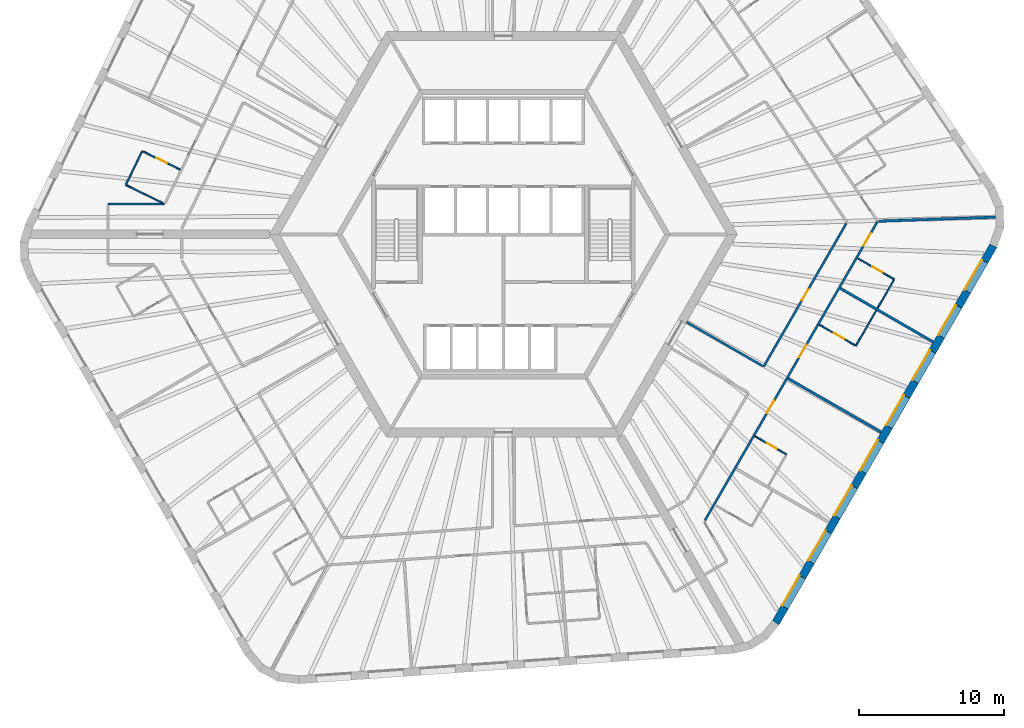
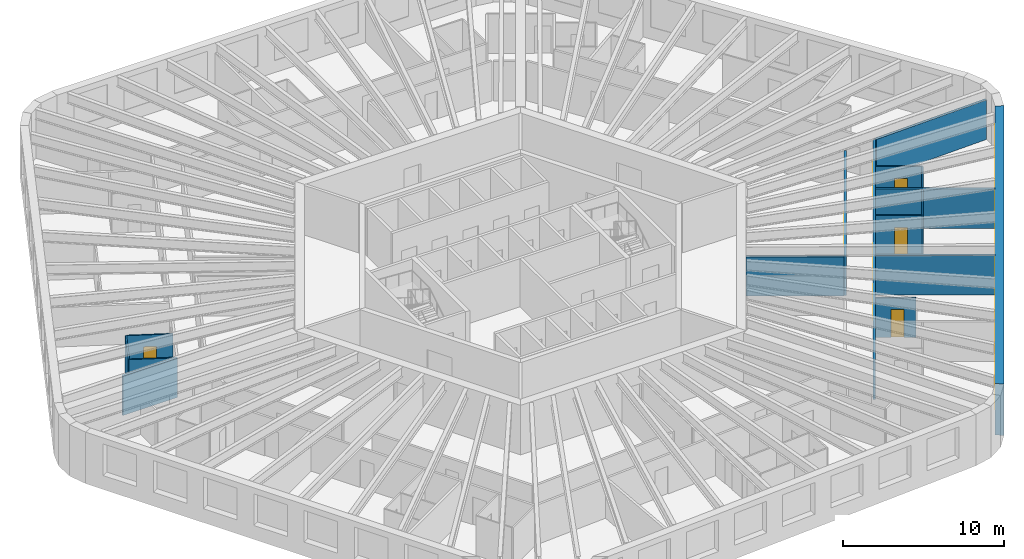
# One storey, part 6 of 11: 16 walls, 8 doors, 8 windows, 16 openings.
"""IFC4 building model written with IfcOpenShell, lengths in metres."""

from ifc_helpers import new_model, si_unit, direction, frame, frame_2d, origin, place, context, subcontext, project, spatial, polyline, rectangle, outline, extrude, material, layer, layer_set, type_object, element, fill, save


model = new_model("IFC4")

# Units and contexts
model_context = context("Model", 3, precision=1e-05, world=origin(), true_north=direction((0.0, 1.0)))
body_context = subcontext(model_context, "Body", "Model", "MODEL_VIEW")
ifc_project = project(units=[si_unit("LENGTHUNIT", "METRE"), si_unit("AREAUNIT", "SQUARE_METRE"), si_unit("VOLUMEUNIT", "CUBIC_METRE"), si_unit("PLANEANGLEUNIT", "RADIAN"), si_unit("MASSUNIT", "GRAM", prefix="KILO")], contexts=[model_context])

# Site, building, storey
site_placement = place(None, origin())
site = spatial("IfcSite", under=ifc_project, at=site_placement, CompositionType="ELEMENT")
building_placement = place(site_placement, origin())
building = spatial("IfcBuilding", under=site, at=building_placement, Name="Tarnside Tower", CompositionType="ELEMENT")
storey_placement = place(building_placement, frame((0.0, 0.0, 41.39990234375)))
storey = spatial("IfcBuildingStorey", under=building, at=storey_placement, Name="L07", CompositionType="ELEMENT", Elevation=41.39990234375)

# Walls
ifc_material_1 = material(Name="Gypsum board partition on steel studs", Category="steel")
ifc_layer_1 = layer(ifc_material_1, 0.10009765625)
ifc_layer_set_1 = layer_set([ifc_layer_1], Name="Bathroom wall 100")
wall_type_1 = type_object("IfcWallType", Name="Bathroom wall 100", PredefinedType="PARTITIONING", material=ifc_layer_set_1)
wall_1_placement = place(storey_placement, frame((-23.551025390625, 2.175048828125, 0.0), z_axis=(0.0, 0.0, 1.0), x_axis=(-0.89881903386, 0.438319910991, 0.0)))
element("IfcWall", 1, at=wall_1_placement, inside=storey, type_object=wall_type_1, Name="Bathroom wall 01097", PredefinedType="PARTITIONING", context=body_context, shape_type="SweptSolid", body=[
    extrude(rectangle(XDim=2.828857421875, YDim=0.10009765625, at=frame_2d((1.41455078125, 0.0))), origin(), (0.0, 0.0, 1.0), 2.98779296875),
])
wall_2_placement = place(storey_placement, frame((-26.07177734375, 3.4599609375, 0.0), z_axis=(0.0, 0.0, 1.0), x_axis=(0.438306676818, 0.898825487543, 0.0)))
element("IfcWall", 2, at=wall_2_placement, inside=storey, type_object=wall_type_1, Name="Bathroom wall 01098", PredefinedType="PARTITIONING", context=body_context, shape_type="SweptSolid", body=[
    extrude(rectangle(XDim=2.550048828125, YDim=0.10009765625, at=frame_2d((1.27490234375, 0.0))), origin(), (0.0, 0.0, 1.0), 2.98779296875),
])

# Wall, opening, door
wall_3_placement = place(storey_placement, frame((-24.908935546875, 5.72998046875, 0.0), z_axis=(0.0, 0.0, 1.0), x_axis=(0.898799457159, -0.438360052708, 0.0)))
wall_3 = element("IfcWall", 3, at=wall_3_placement, inside=storey, type_object=wall_type_1, Name="Bathroom wall 01099", PredefinedType="PARTITIONING", context=body_context, shape_type="SweptSolid", body=[
    extrude(rectangle(XDim=2.875, YDim=0.10009765625, at=frame_2d((1.4375, 0.0))), origin(), (0.0, 0.0, 1.0), 2.98779296875),
])
opening_1_placement = place(wall_3_placement, frame((1.050048828125, 0.0, 0.0)))
opening_1 = element("IfcOpeningElement", 4, at=opening_1_placement, cuts=wall_3, Name="Opening D-B1", PredefinedType="OPENING", context=body_context, shape_type="SweptSolid", body=[
    extrude(rectangle(XDim=0.800048828125, YDim=2.10009765625, at=frame_2d((0.39990234375, 1.050048828125))), frame((0.0, 0.06005859375, 0.0), z_axis=(0.0, -1.0, 0.0), x_axis=(1.0, 0.0, 0.0)), (0.0, 0.0, 1.0), 0.1201171875),
])
ifc_material_2 = material(Name="Timber door leaf", Category="wood")
door_type_1 = type_object("IfcDoorType", Name="Bathroom door 800", OperationType="NOTDEFINED", PredefinedType="DOOR", material=ifc_material_2)
door_1_placement = place(opening_1_placement, origin())
door_1 = element("IfcDoor", 5, at=door_1_placement, inside=storey, type_object=door_type_1, Name="Bathroom door 01012", OperationType="SINGLE_SWING_RIGHT", OverallHeight=2.10009765625, OverallWidth=0.800048828125, PredefinedType="DOOR", context=body_context, shape_type="SweptSolid", body=[
    extrude(rectangle(XDim=0.800048828125, YDim=2.10009765625, at=frame_2d((0.39990234375, 1.050048828125))), frame((0.0, 0.02490234375, 0.0), z_axis=(0.0, -1.0, 0.0), x_axis=(1.0, 0.0, 0.0)), (0.0, 0.0, 1.0), 0.050048828125),
])
fill(opening_1, door_1)

wall_4_placement = place(storey_placement, frame((17.379638671875, -13.947509765625, 0.0), z_axis=(0.0, 0.0, 1.0), x_axis=(0.866039067339, -0.499976333282, 0.0)))
wall_4 = element("IfcWall", 6, at=wall_4_placement, inside=storey, type_object=wall_type_1, Name="Bathroom wall 01132", PredefinedType="PARTITIONING", context=body_context, shape_type="SweptSolid", body=[
    extrude(rectangle(XDim=2.52490234375, YDim=0.10009765625, at=frame_2d((1.262451171875, 0.0))), origin(), (0.0, 0.0, 1.0), 2.98779296875),
])
opening_2_placement = place(wall_4_placement, frame((0.955078125, 0.0, 0.0)))
opening_2 = element("IfcOpeningElement", 7, at=opening_2_placement, cuts=wall_4, Name="Opening D-B1", PredefinedType="OPENING", context=body_context, shape_type="SweptSolid", body=[
    extrude(rectangle(XDim=0.800048828125, YDim=2.10009765625, at=frame_2d((0.39990234375, 1.050048828125))), frame((0.0, 0.06005859375, 0.0), z_axis=(0.0, -1.0, 0.0), x_axis=(1.0, 0.0, 0.0)), (0.0, 0.0, 1.0), 0.1201171875),
])
door_2_placement = place(opening_2_placement, origin())
door_2 = element("IfcDoor", 8, at=door_2_placement, inside=storey, type_object=door_type_1, Name="Bathroom door 01030", OperationType="SINGLE_SWING_LEFT", OverallHeight=2.10009765625, OverallWidth=0.800048828125, PredefinedType="DOOR", context=body_context, shape_type="SweptSolid", body=[
    extrude(rectangle(XDim=0.800048828125, YDim=2.10009765625, at=frame_2d((0.39990234375, 1.050048828125))), frame((0.0, 0.02490234375, 0.0), z_axis=(0.0, -1.0, 0.0), x_axis=(1.0, 0.0, 0.0)), (0.0, 0.0, 1.0), 0.050048828125),
])
fill(opening_2, door_2)

# Wall
wall_5_placement = place(storey_placement, frame((25.767822265625, -5.268798828125, 0.0), z_axis=(0.0, 0.0, 1.0), x_axis=(-0.499998209175, -0.866026437715, 0.0)))
element("IfcWall", 9, at=wall_5_placement, inside=storey, type_object=wall_type_1, Name="Bathroom wall 01135", PredefinedType="PARTITIONING", context=body_context, shape_type="SweptSolid", body=[
    extrude(rectangle(XDim=2.81005859375, YDim=0.10009765625, at=frame_2d((1.405029296875, 0.0))), origin(), (0.0, 0.0, 1.0), 2.98779296875),
])

# Wall, opening, door
wall_6_placement = place(storey_placement, frame((24.319580078125, -7.67724609375, 0.0), z_axis=(0.0, 0.0, 1.0), x_axis=(-0.866018712932, 0.500011588718, 0.0)))
wall_6 = element("IfcWall", 10, at=wall_6_placement, inside=storey, type_object=wall_type_1, Name="Bathroom wall 01136", PredefinedType="PARTITIONING", context=body_context, shape_type="SweptSolid", body=[
    extrude(rectangle(XDim=2.875, YDim=0.10009765625, at=frame_2d((1.4375, 0.0))), origin(), (0.0, 0.0, 1.0), 2.98779296875),
])
opening_3_placement = place(wall_6_placement, frame((0.89990234375, 0.0, 0.0)))
opening_3 = element("IfcOpeningElement", 11, at=opening_3_placement, cuts=wall_6, Name="Opening D-B1", PredefinedType="OPENING", context=body_context, shape_type="SweptSolid", body=[
    extrude(rectangle(XDim=0.800048828125, YDim=2.10009765625, at=frame_2d((0.39990234375, 1.050048828125))), frame((0.0, 0.06005859375, 0.0), z_axis=(0.0, -1.0, 0.0), x_axis=(1.0, 0.0, 0.0)), (0.0, 0.0, 1.0), 0.1201171875),
])
door_3_placement = place(opening_3_placement, origin())
door_3 = element("IfcDoor", 12, at=door_3_placement, inside=storey, type_object=door_type_1, Name="Bathroom door 01032", OperationType="SINGLE_SWING_RIGHT", OverallHeight=2.10009765625, OverallWidth=0.800048828125, PredefinedType="DOOR", context=body_context, shape_type="SweptSolid", body=[
    extrude(rectangle(XDim=0.800048828125, YDim=2.10009765625, at=frame_2d((0.39990234375, 1.050048828125))), frame((0.0, 0.02490234375, 0.0), z_axis=(0.0, -1.0, 0.0), x_axis=(1.0, 0.0, 0.0)), (0.0, 0.0, 1.0), 0.050048828125),
])
fill(opening_3, door_3)

wall_7_placement = place(storey_placement, frame((24.479736328125, -1.64990234375, 0.0), z_axis=(0.0, 0.0, 1.0), x_axis=(0.866046596414, -0.499963291492, 0.0)))
wall_7 = element("IfcWall", 13, at=wall_7_placement, inside=storey, type_object=wall_type_1, Name="Bathroom wall 01139", PredefinedType="PARTITIONING", context=body_context, shape_type="SweptSolid", body=[
    extrude(rectangle(XDim=2.925048828125, YDim=0.10009765625, at=frame_2d((1.46240234375, 0.0))), origin(), (0.0, 0.0, 1.0), 2.98779296875),
])
opening_4_placement = place(wall_7_placement, frame((1.175048828125, 0.0, 0.0)))
opening_4 = element("IfcOpeningElement", 14, at=opening_4_placement, cuts=wall_7, Name="Opening D-B1", PredefinedType="OPENING", context=body_context, shape_type="SweptSolid", body=[
    extrude(rectangle(XDim=0.800048828125, YDim=2.10009765625, at=frame_2d((0.39990234375, 1.050048828125))), frame((0.0, 0.06005859375, 0.0), z_axis=(0.0, -1.0, 0.0), x_axis=(1.0, 0.0, 0.0)), (0.0, 0.0, 1.0), 0.1201171875),
])
door_4_placement = place(opening_4_placement, origin())
door_4 = element("IfcDoor", 15, at=door_4_placement, inside=storey, type_object=door_type_1, Name="Bathroom door 01034", OperationType="SINGLE_SWING_LEFT", OverallHeight=2.10009765625, OverallWidth=0.800048828125, PredefinedType="DOOR", context=body_context, shape_type="SweptSolid", body=[
    extrude(rectangle(XDim=0.800048828125, YDim=2.10009765625, at=frame_2d((0.39990234375, 1.050048828125))), frame((0.0, 0.02490234375, 0.0), z_axis=(0.0, -1.0, 0.0), x_axis=(1.0, 0.0, 0.0)), (0.0, 0.0, 1.0), 0.050048828125),
])
fill(opening_4, door_4)

# Walls
wall_8_placement = place(storey_placement, frame((26.98779296875, -3.15576171875, 0.0), z_axis=(0.0, 0.0, 1.0), x_axis=(-0.4999967785, -0.866027263711, 0.0)))
element("IfcWall", 16, at=wall_8_placement, inside=storey, type_object=wall_type_1, Name="Bathroom wall 01140", PredefinedType="PARTITIONING", context=body_context, shape_type="SweptSolid", body=[
    extrude(rectangle(XDim=2.259765625, YDim=0.10009765625, at=frame_2d((1.1298828125, 0.0))), origin(), (0.0, 0.0, 1.0), 2.98779296875),
])
ifc_layer_2 = layer(ifc_material_1, 0.14990234375)
ifc_layer_set_2 = layer_set([ifc_layer_2], Name="Corridor wall 150 EI 60")
wall_type_2 = type_object("IfcWallType", Name="Corridor wall 150 EI 60", PredefinedType="PARTITIONING", material=ifc_layer_set_2)
wall_9_placement = place(storey_placement, frame((-23.3974609375, 2.10009765625, 0.0), z_axis=(0.0, 0.0, 1.0), x_axis=(-1.0, 0.0, 0.0)))
element("IfcWall", 17, at=wall_9_placement, inside=storey, type_object=wall_type_2, Name="Corridor wall 01012", PredefinedType="PARTITIONING", context=body_context, shape_type="SweptSolid", body=[
    extrude(rectangle(XDim=3.9228515625, YDim=0.14990234375, at=frame_2d((1.96142578125, 0.0))), origin(), (0.0, 0.0, 1.0), 2.98779296875),
])

# Wall, openings, doors
wall_10_placement = place(storey_placement, frame((13.928466796875, -19.77490234375, 0.0), z_axis=(0.0, 0.0, 1.0), x_axis=(0.50000450071, 0.866022805283, 0.0)))
wall_10 = element("IfcWall", 18, at=wall_10_placement, inside=storey, type_object=wall_type_2, Name="Corridor wall 01051", PredefinedType="PARTITIONING", context=body_context, shape_type="SweptSolid", body=[
    extrude(rectangle(XDim=23.877197265625, YDim=0.14990234375, at=frame_2d((11.9384765625, 0.0))), origin(), (0.0, 0.0, 1.0), 2.98779296875),
])
opening_5_placement = place(wall_10_placement, frame((8.572509765625, 0.0, 0.0)))
opening_5 = element("IfcOpeningElement", 19, at=opening_5_placement, cuts=wall_10, Name="Opening D-E1", PredefinedType="OPENING", context=body_context, shape_type="SweptSolid", body=[
    extrude(rectangle(XDim=1.0, YDim=2.10009765625, at=frame_2d((0.5, 1.050048828125))), frame((0.0, 0.0849609375, 0.0), z_axis=(0.0, -1.0, 0.0), x_axis=(1.0, 0.0, 0.0)), (0.0, 0.0, 1.0), 0.169921875),
])
opening_6_placement = place(wall_10_placement, frame((13.0224609375, 0.0, 0.0)))
opening_6 = element("IfcOpeningElement", 20, at=opening_6_placement, cuts=wall_10, Name="Opening D-E1", PredefinedType="OPENING", context=body_context, shape_type="SweptSolid", body=[
    extrude(rectangle(XDim=1.0, YDim=2.10009765625, at=frame_2d((0.5, 1.050048828125))), frame((0.0, 0.0849609375, 0.0), z_axis=(0.0, -1.0, 0.0), x_axis=(1.0, 0.0, 0.0)), (0.0, 0.0, 1.0), 0.169921875),
])
opening_7_placement = place(wall_10_placement, frame((21.9248046875, 0.0, 0.0)))
opening_7 = element("IfcOpeningElement", 21, at=opening_7_placement, cuts=wall_10, Name="Opening D-E1", PredefinedType="OPENING", context=body_context, shape_type="SweptSolid", body=[
    extrude(rectangle(XDim=1.0, YDim=2.10009765625, at=frame_2d((0.5, 1.050048828125))), frame((0.0, 0.0849609375, 0.0), z_axis=(0.0, -1.0, 0.0), x_axis=(1.0, 0.0, 0.0)), (0.0, 0.0, 1.0), 0.169921875),
])
door_type_2 = type_object("IfcDoorType", Name="Unit entrance door 1000 FD30S", OperationType="NOTDEFINED", PredefinedType="DOOR", material=ifc_material_2)
door_5_placement = place(opening_5_placement, origin())
door_5 = element("IfcDoor", 22, at=door_5_placement, inside=storey, type_object=door_type_2, Name="Unit door 01029", OperationType="SINGLE_SWING_LEFT", OverallHeight=2.10009765625, OverallWidth=1.0, PredefinedType="DOOR", context=body_context, shape_type="SweptSolid", body=[
    extrude(rectangle(XDim=1.0, YDim=2.10009765625, at=frame_2d((0.5, 1.050048828125))), frame((0.0, 0.02490234375, 0.0), z_axis=(0.0, -1.0, 0.0), x_axis=(1.0, 0.0, 0.0)), (0.0, 0.0, 1.0), 0.050048828125),
])
fill(opening_5, door_5)
door_6_placement = place(opening_6_placement, origin())
door_6 = element("IfcDoor", 23, at=door_6_placement, inside=storey, type_object=door_type_2, Name="Unit door 01031", OperationType="SINGLE_SWING_RIGHT", OverallHeight=2.10009765625, OverallWidth=1.0, PredefinedType="DOOR", context=body_context, shape_type="SweptSolid", body=[
    extrude(rectangle(XDim=1.0, YDim=2.10009765625, at=frame_2d((0.5, 1.050048828125))), frame((0.0, 0.02490234375, 0.0), z_axis=(0.0, -1.0, 0.0), x_axis=(1.0, 0.0, 0.0)), (0.0, 0.0, 1.0), 0.050048828125),
])
fill(opening_6, door_6)
door_7_placement = place(opening_7_placement, origin())
door_7 = element("IfcDoor", 24, at=door_7_placement, inside=storey, type_object=door_type_2, Name="Unit door 01033", OperationType="SINGLE_SWING_RIGHT", OverallHeight=2.10009765625, OverallWidth=1.0, PredefinedType="DOOR", context=body_context, shape_type="SweptSolid", body=[
    extrude(rectangle(XDim=1.0, YDim=2.10009765625, at=frame_2d((0.5, 1.050048828125))), frame((0.0, 0.02490234375, 0.0), z_axis=(0.0, -1.0, 0.0), x_axis=(1.0, 0.0, 0.0)), (0.0, 0.0, 1.0), 0.050048828125),
])
fill(opening_7, door_7)

# Wall, opening, door
wall_11_placement = place(storey_placement, frame((23.704345703125, 0.757080078125, 0.0), z_axis=(0.0, 0.0, 1.0), x_axis=(-0.500010297365, -0.866019458516, 0.0)))
wall_11 = element("IfcWall", 25, at=wall_11_placement, inside=storey, type_object=wall_type_2, Name="Corridor wall 01070", PredefinedType="PARTITIONING", context=body_context, shape_type="SweptSolid", body=[
    extrude(rectangle(XDim=11.428955078125, YDim=0.14990234375, at=frame_2d((5.71435546875, 0.0))), origin(), (0.0, 0.0, 1.0), 2.98779296875),
])
opening_8_placement = place(wall_11_placement, frame((5.264404296875, 0.0, 0.0)))
opening_8 = element("IfcOpeningElement", 26, at=opening_8_placement, cuts=wall_11, Name="Opening D-S1", PredefinedType="OPENING", context=body_context, shape_type="SweptSolid", body=[
    extrude(rectangle(XDim=0.89990234375, YDim=2.10009765625, at=frame_2d((0.449951171875, 1.050048828125))), frame((0.0, 0.0849609375, 0.0), z_axis=(0.0, -1.0, 0.0), x_axis=(1.0, 0.0, 0.0)), (0.0, 0.0, 1.0), 0.169921875),
])
door_type_3 = type_object("IfcDoorType", Name="Service room door 900 FD30S", OperationType="NOTDEFINED", PredefinedType="DOOR", material=ifc_material_2)
door_8_placement = place(opening_8_placement, origin())
door_8 = element("IfcDoor", 27, at=door_8_placement, inside=storey, type_object=door_type_3, Name="Service door 01048", OperationType="SINGLE_SWING_LEFT", OverallHeight=2.10009765625, OverallWidth=0.89990234375, PredefinedType="DOOR", context=body_context, shape_type="SweptSolid", body=[
    extrude(rectangle(XDim=0.89990234375, YDim=2.10009765625, at=frame_2d((0.449951171875, 1.050048828125))), frame((0.0, 0.02490234375, 0.0), z_axis=(0.0, -1.0, 0.0), x_axis=(1.0, 0.0, 0.0)), (0.0, 0.0, 1.0), 0.050048828125),
])
fill(opening_8, door_8)

# Walls
wall_12_placement = place(storey_placement, frame((17.9248046875, -9.103271484375, 0.0), z_axis=(0.0, 0.0, 1.0), x_axis=(-0.866013586754, 0.500020467139, 0.0)))
element("IfcWall", 28, at=wall_12_placement, inside=storey, type_object=wall_type_2, Name="Corridor wall 01071", PredefinedType="PARTITIONING", context=body_context, shape_type="SweptSolid", body=[
    extrude(rectangle(XDim=6.074951171875, YDim=0.14990234375, at=frame_2d((3.03759765625, 0.0))), origin(), (0.0, 0.0, 1.0), 2.98779296875),
])
ifc_layer_3 = layer(ifc_material_1, 0.179931640625)
ifc_layer_set_3 = layer_set([ifc_layer_3], Name="Demising wall 180 EI 60")
wall_type_3 = type_object("IfcWallType", Name="Demising wall 180 EI 60", PredefinedType="PARTITIONING", material=ifc_layer_set_3)
for number, where, z_axis, x_axis, name in (
    (29, (26.10986328125, -13.67626953125, 0.0), (0.0, 0.0, 1.0), (-0.866014745021, 0.500018461065, 0.0), "Demising wall 01134"),
    (30, (29.7099609375, -7.44091796875, 0.0), (0.0, 0.0, 1.0), (-0.866014745021, 0.500018461065, 0.0), "Demising wall 01137"),
):
    element("IfcWall", number, at=place(storey_placement, frame(where, z_axis=z_axis, x_axis=x_axis)), inside=storey, type_object=wall_type_3, Name=name, PredefinedType="PARTITIONING", context=body_context, shape_type="SweptSolid", body=[
        extrude(rectangle(XDim=7.425048828125, YDim=0.179931640625, at=frame_2d((3.71240234375, 0.0))), origin(), (0.0, 0.0, 1.0), 2.98779296875),
    ])
wall_13_placement = place(storey_placement, frame((34.0234375, 1.188232421875, 0.0), z_axis=(0.0, 0.0, 1.0), x_axis=(-0.999390818315, -0.03489974594, 0.0)))
element("IfcWall", 31, at=wall_13_placement, inside=storey, type_object=wall_type_3, Name="Demising wall 01141", PredefinedType="PARTITIONING", context=body_context, shape_type="SweptSolid", body=[
    extrude(rectangle(XDim=8.07275390625, YDim=0.179931640625, at=frame_2d((4.036376953125, 0.0))), origin(), (0.0, 0.0, 1.0), 2.98779296875),
])

# Wall, openings, windows
ifc_material_3 = material(Name="Facing brick", Category="masonry")
ifc_layer_4 = layer(ifc_material_3, 0.10205078125)
ifc_material_4 = material(Name="Concrete C60/75 precast", Category="concrete")
ifc_layer_5 = layer(ifc_material_4, 0.347900390625)
ifc_material_5 = material(Name="Mineral wool insulation")
ifc_layer_6 = layer(ifc_material_5, 0.10009765625)
ifc_layer_set_4 = layer_set([ifc_layer_4, ifc_layer_5, ifc_layer_6], Name="Tube wall 550 brick faced")
wall_type_4 = type_object("IfcWallType", Name="Tube wall 550 brick faced", PredefinedType="SOLIDWALL", material=ifc_layer_set_4)
wall_14_placement = place(storey_placement, frame((18.830322265625, -26.834716796875, -0.14990234375), z_axis=(0.0, 0.0, 1.0), x_axis=(0.500003800416, 0.866023209602, 0.0)))
wall_14 = element("IfcWall", 32, at=wall_14_placement, inside=storey, type_object=wall_type_4, Name="Tube wall L07 F5 flush 16", PredefinedType="SOLIDWALL", context=body_context, shape_type="SweptSolid", body=[
    extrude(outline(polyline([(-0.0224609375, -0.27490234375), (30.0966796875, -0.27490234375), (30.04541015625, 0.27490234375), (0.0224609375, 0.27490234375), (-0.0224609375, -0.27490234375)])), origin(), (0.0, 0.0, 1.0), 3.89990234375),
])
opening_9_placement = place(wall_14_placement, frame((1.235595703125, 0.0, 1.050048828125)))
opening_9 = element("IfcOpeningElement", 33, at=opening_9_placement, cuts=wall_14, Name="Opening WH", PredefinedType="OPENING", context=body_context, shape_type="SweptSolid", body=[
    extrude(rectangle(XDim=2.39990234375, YDim=2.39990234375, at=frame_2d((1.199951171875, 1.199951171875))), frame((0.0, 0.28515625, 0.0), z_axis=(0.0, -1.0, 0.0), x_axis=(1.0, 0.0, 0.0)), (0.0, 0.0, 1.0), 0.570068359375),
])
opening_10_placement = place(wall_14_placement, frame((4.83544921875, 0.0, 1.050048828125)))
opening_10 = element("IfcOpeningElement", 34, at=opening_10_placement, cuts=wall_14, Name="Opening WH", PredefinedType="OPENING", context=body_context, shape_type="SweptSolid", body=[
    extrude(rectangle(XDim=2.39990234375, YDim=2.39990234375, at=frame_2d((1.199951171875, 1.199951171875))), frame((0.0, 0.28515625, 0.0), z_axis=(0.0, -1.0, 0.0), x_axis=(1.0, 0.0, 0.0)), (0.0, 0.0, 1.0), 0.570068359375),
])
opening_11_placement = place(wall_14_placement, frame((8.435546875, 0.0, 1.050048828125)))
opening_11 = element("IfcOpeningElement", 35, at=opening_11_placement, cuts=wall_14, Name="Opening WH", PredefinedType="OPENING", context=body_context, shape_type="SweptSolid", body=[
    extrude(rectangle(XDim=2.39990234375, YDim=2.39990234375, at=frame_2d((1.199951171875, 1.199951171875))), frame((0.0, 0.28515625, 0.0), z_axis=(0.0, -1.0, 0.0), x_axis=(1.0, 0.0, 0.0)), (0.0, 0.0, 1.0), 0.570068359375),
])
opening_12_placement = place(wall_14_placement, frame((12.035400390625, 0.0, 1.050048828125)))
opening_12 = element("IfcOpeningElement", 36, at=opening_12_placement, cuts=wall_14, Name="Opening WH", PredefinedType="OPENING", context=body_context, shape_type="SweptSolid", body=[
    extrude(rectangle(XDim=2.39990234375, YDim=2.39990234375, at=frame_2d((1.199951171875, 1.199951171875))), frame((0.0, 0.28515625, 0.0), z_axis=(0.0, -1.0, 0.0), x_axis=(1.0, 0.0, 0.0)), (0.0, 0.0, 1.0), 0.570068359375),
])
opening_13_placement = place(wall_14_placement, frame((15.635498046875, 0.0, 1.050048828125)))
opening_13 = element("IfcOpeningElement", 37, at=opening_13_placement, cuts=wall_14, Name="Opening WH", PredefinedType="OPENING", context=body_context, shape_type="SweptSolid", body=[
    extrude(rectangle(XDim=2.39990234375, YDim=2.39990234375, at=frame_2d((1.199951171875, 1.199951171875))), frame((0.0, 0.28515625, 0.0), z_axis=(0.0, -1.0, 0.0), x_axis=(1.0, 0.0, 0.0)), (0.0, 0.0, 1.0), 0.570068359375),
])
opening_14_placement = place(wall_14_placement, frame((19.235595703125, 0.0, 1.050048828125)))
opening_14 = element("IfcOpeningElement", 38, at=opening_14_placement, cuts=wall_14, Name="Opening WH", PredefinedType="OPENING", context=body_context, shape_type="SweptSolid", body=[
    extrude(rectangle(XDim=2.39990234375, YDim=2.39990234375, at=frame_2d((1.199951171875, 1.199951171875))), frame((0.0, 0.28515625, 0.0), z_axis=(0.0, -1.0, 0.0), x_axis=(1.0, 0.0, 0.0)), (0.0, 0.0, 1.0), 0.570068359375),
])
opening_15_placement = place(wall_14_placement, frame((22.83544921875, 0.0, 1.050048828125)))
opening_15 = element("IfcOpeningElement", 39, at=opening_15_placement, cuts=wall_14, Name="Opening WH", PredefinedType="OPENING", context=body_context, shape_type="SweptSolid", body=[
    extrude(rectangle(XDim=2.39990234375, YDim=2.39990234375, at=frame_2d((1.199951171875, 1.199951171875))), frame((0.0, 0.28515625, 0.0), z_axis=(0.0, -1.0, 0.0), x_axis=(1.0, 0.0, 0.0)), (0.0, 0.0, 1.0), 0.570068359375),
])
opening_16_placement = place(wall_14_placement, frame((26.435546875, 0.0, 1.050048828125)))
opening_16 = element("IfcOpeningElement", 40, at=opening_16_placement, cuts=wall_14, Name="Opening WH", PredefinedType="OPENING", context=body_context, shape_type="SweptSolid", body=[
    extrude(rectangle(XDim=2.39990234375, YDim=2.39990234375, at=frame_2d((1.199951171875, 1.199951171875))), frame((0.0, 0.28515625, 0.0), z_axis=(0.0, -1.0, 0.0), x_axis=(1.0, 0.0, 0.0)), (0.0, 0.0, 1.0), 0.570068359375),
])
ifc_material_6 = material(Name="Aluminium-framed double glazing", Category="aluminium")
window_type = type_object("IfcWindowType", Name="Hotel window 2400 x 2400", PartitioningType="DOUBLE_PANEL_VERTICAL", PredefinedType="WINDOW", material=ifc_material_6)
window_1_placement = place(opening_9_placement, frame((0.0, 0.205078125, 0.0)))
window_1 = element("IfcWindow", 41, at=window_1_placement, inside=storey, type_object=window_type, Name="E.WN.L07.F5.00", OverallHeight=2.39990234375, OverallWidth=2.39990234375, PartitioningType="DOUBLE_PANEL_VERTICAL", PredefinedType="WINDOW", context=body_context, shape_type="SweptSolid", body=[
    extrude(rectangle(XDim=2.39990234375, YDim=2.39990234375, at=frame_2d((1.199951171875, 1.199951171875))), frame((0.0, 0.030029296875, 0.0), z_axis=(0.0, -1.0, 0.0), x_axis=(1.0, 0.0, 0.0)), (0.0, 0.0, 1.0), 0.06005859375),
])
fill(opening_9, window_1)
window_2_placement = place(opening_10_placement, frame((0.0, 0.205078125, 0.0)))
window_2 = element("IfcWindow", 42, at=window_2_placement, inside=storey, type_object=window_type, Name="E.WN.L07.F5.01", OverallHeight=2.39990234375, OverallWidth=2.39990234375, PartitioningType="DOUBLE_PANEL_VERTICAL", PredefinedType="WINDOW", context=body_context, shape_type="SweptSolid", body=[
    extrude(rectangle(XDim=2.39990234375, YDim=2.39990234375, at=frame_2d((1.199951171875, 1.199951171875))), frame((0.0, 0.030029296875, 0.0), z_axis=(0.0, -1.0, 0.0), x_axis=(1.0, 0.0, 0.0)), (0.0, 0.0, 1.0), 0.06005859375),
])
fill(opening_10, window_2)
window_3_placement = place(opening_11_placement, frame((0.0, 0.205078125, 0.0)))
window_3 = element("IfcWindow", 43, at=window_3_placement, inside=storey, type_object=window_type, Name="E.WN.L07.F5.02", OverallHeight=2.39990234375, OverallWidth=2.39990234375, PartitioningType="DOUBLE_PANEL_VERTICAL", PredefinedType="WINDOW", context=body_context, shape_type="SweptSolid", body=[
    extrude(rectangle(XDim=2.39990234375, YDim=2.39990234375, at=frame_2d((1.199951171875, 1.199951171875))), frame((0.0, 0.030029296875, 0.0), z_axis=(0.0, -1.0, 0.0), x_axis=(1.0, 0.0, 0.0)), (0.0, 0.0, 1.0), 0.06005859375),
])
fill(opening_11, window_3)
window_4_placement = place(opening_12_placement, frame((0.0, 0.205078125, 0.0)))
window_4 = element("IfcWindow", 44, at=window_4_placement, inside=storey, type_object=window_type, Name="E.WN.L07.F5.03", OverallHeight=2.39990234375, OverallWidth=2.39990234375, PartitioningType="DOUBLE_PANEL_VERTICAL", PredefinedType="WINDOW", context=body_context, shape_type="SweptSolid", body=[
    extrude(rectangle(XDim=2.39990234375, YDim=2.39990234375, at=frame_2d((1.199951171875, 1.199951171875))), frame((0.0, 0.030029296875, 0.0), z_axis=(0.0, -1.0, 0.0), x_axis=(1.0, 0.0, 0.0)), (0.0, 0.0, 1.0), 0.06005859375),
])
fill(opening_12, window_4)
window_5_placement = place(opening_13_placement, frame((0.0, 0.205078125, 0.0)))
window_5 = element("IfcWindow", 45, at=window_5_placement, inside=storey, type_object=window_type, Name="E.WN.L07.F5.04", OverallHeight=2.39990234375, OverallWidth=2.39990234375, PartitioningType="DOUBLE_PANEL_VERTICAL", PredefinedType="WINDOW", context=body_context, shape_type="SweptSolid", body=[
    extrude(rectangle(XDim=2.39990234375, YDim=2.39990234375, at=frame_2d((1.199951171875, 1.199951171875))), frame((0.0, 0.030029296875, 0.0), z_axis=(0.0, -1.0, 0.0), x_axis=(1.0, 0.0, 0.0)), (0.0, 0.0, 1.0), 0.06005859375),
])
fill(opening_13, window_5)
window_6_placement = place(opening_14_placement, frame((0.0, 0.205078125, 0.0)))
window_6 = element("IfcWindow", 46, at=window_6_placement, inside=storey, type_object=window_type, Name="E.WN.L07.F5.05", OverallHeight=2.39990234375, OverallWidth=2.39990234375, PartitioningType="DOUBLE_PANEL_VERTICAL", PredefinedType="WINDOW", context=body_context, shape_type="SweptSolid", body=[
    extrude(rectangle(XDim=2.39990234375, YDim=2.39990234375, at=frame_2d((1.199951171875, 1.199951171875))), frame((0.0, 0.030029296875, 0.0), z_axis=(0.0, -1.0, 0.0), x_axis=(1.0, 0.0, 0.0)), (0.0, 0.0, 1.0), 0.06005859375),
])
fill(opening_14, window_6)
window_7_placement = place(opening_15_placement, frame((0.0, 0.205078125, 0.0)))
window_7 = element("IfcWindow", 47, at=window_7_placement, inside=storey, type_object=window_type, Name="E.WN.L07.F5.06", OverallHeight=2.39990234375, OverallWidth=2.39990234375, PartitioningType="DOUBLE_PANEL_VERTICAL", PredefinedType="WINDOW", context=body_context, shape_type="SweptSolid", body=[
    extrude(rectangle(XDim=2.39990234375, YDim=2.39990234375, at=frame_2d((1.199951171875, 1.199951171875))), frame((0.0, 0.030029296875, 0.0), z_axis=(0.0, -1.0, 0.0), x_axis=(1.0, 0.0, 0.0)), (0.0, 0.0, 1.0), 0.06005859375),
])
fill(opening_15, window_7)
window_8_placement = place(opening_16_placement, frame((0.0, 0.205078125, 0.0)))
window_8 = element("IfcWindow", 48, at=window_8_placement, inside=storey, type_object=window_type, Name="E.WN.L07.F5.07", OverallHeight=2.39990234375, OverallWidth=2.39990234375, PartitioningType="DOUBLE_PANEL_VERTICAL", PredefinedType="WINDOW", context=body_context, shape_type="SweptSolid", body=[
    extrude(rectangle(XDim=2.39990234375, YDim=2.39990234375, at=frame_2d((1.199951171875, 1.199951171875))), frame((0.0, 0.030029296875, 0.0), z_axis=(0.0, -1.0, 0.0), x_axis=(1.0, 0.0, 0.0)), (0.0, 0.0, 1.0), 0.06005859375),
])
fill(opening_16, window_8)

save(model, "model.ifc")
